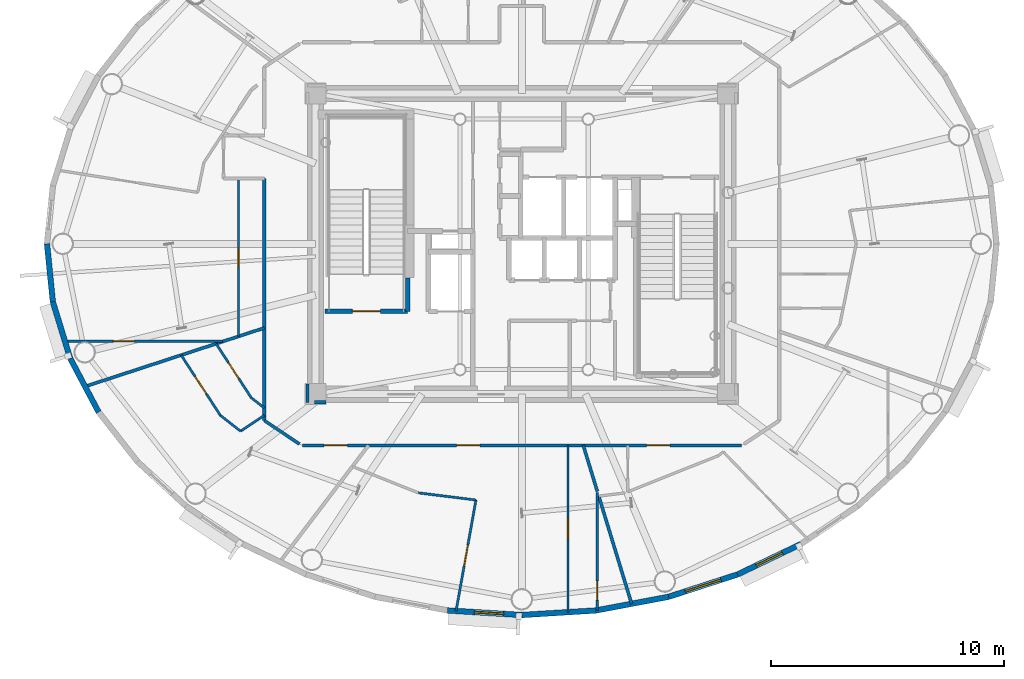
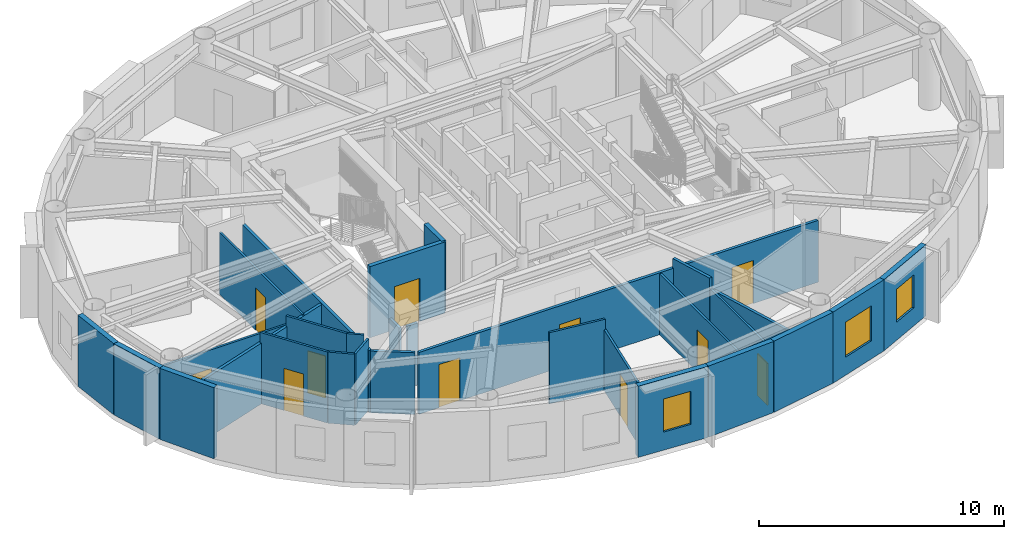
# One storey, part 6 of 17: 29 walls, 11 doors, 3 windows, 14 openings.
"""IFC4 building model written with IfcOpenShell, lengths in metres."""

from ifc_helpers import new_model, si_unit, direction, frame, frame_2d, origin, origin_2d, place, context, subcontext, project, spatial, rectangle, extrude, source, transform, mapped, material, layer, layer_set, type_object, element, fill, save


model = new_model("IFC4")

# Units and contexts
model_context = context("Model", 3, precision=1e-05, world=origin(), true_north=direction((0.0, 1.0)))
body_context = subcontext(model_context, "Body", "Model", "MODEL_VIEW")
ifc_project = project(units=[si_unit("LENGTHUNIT", "METRE"), si_unit("AREAUNIT", "SQUARE_METRE"), si_unit("VOLUMEUNIT", "CUBIC_METRE"), si_unit("PLANEANGLEUNIT", "RADIAN"), si_unit("MASSUNIT", "GRAM", prefix="KILO")], contexts=[model_context])

# Site, building, storey
site_placement = place(None, origin())
site = spatial("IfcSite", under=ifc_project, at=site_placement, CompositionType="ELEMENT")
building_placement = place(site_placement, origin())
building = spatial("IfcBuilding", under=site, at=building_placement, Name="Linh Dai School and Residence Tower", CompositionType="ELEMENT")
storey_placement = place(building_placement, frame((0.0, 0.0, 331.60009765625)))
storey = spatial("IfcBuildingStorey", under=building, at=storey_placement, Name="L82", CompositionType="ELEMENT", Elevation=331.60009765625)

# Walls
ifc_material_1 = material(Name="Precast Concrete B45 (C35/45)", Category="concrete")
ifc_layer_1 = layer(ifc_material_1, 0.239990234375)
ifc_layer_set_1 = layer_set([ifc_layer_1], Name="Precast Concrete B45 (C35/45)")
wall_type_1 = type_object("IfcWallType", Name="EW-TC-240", PredefinedType="SOLIDWALL", material=ifc_layer_set_1)
wall_1_placement = place(storey_placement, frame((15.875, 24.51318359375, 0.0), z_axis=(0.0, 0.0, 1.0), x_axis=(-0.100025963401, 0.994984827344, 0.0)))
element("IfcWall", 1, at=wall_1_placement, inside=storey, type_object=wall_type_1, Name="L82 Terracotta Exterior Wall 21", PredefinedType="SOLIDWALL", context=body_context, shape_type="SweptSolid", body=[
    extrude(rectangle(XDim=2.499267578125, YDim=0.239990234375, at=frame_2d((1.24951171875, 0.0))), origin(), (0.0, 0.0, 1.0), 3.5498046875),
])
wall_2_placement = place(storey_placement, frame((16.618896484375, 22.086669921875, 0.0), z_axis=(0.0, 0.0, 1.0), x_axis=(-0.293105547213, 0.956080089842, 0.0)))
element("IfcWall", 2, at=wall_2_placement, inside=storey, type_object=wall_type_1, Name="L82 Terracotta Exterior Wall 22", PredefinedType="SOLIDWALL", context=body_context, shape_type="SweptSolid", body=[
    extrude(rectangle(XDim=2.5380859375, YDim=0.239990234375, at=frame_2d((1.26904296875, 0.0))), origin(), (0.0, 0.0, 1.0), 3.5498046875),
])
wall_3_placement = place(storey_placement, frame((17.839111328125, 19.779296875, 0.0), z_axis=(0.0, 0.0, 1.0), x_axis=(-0.467487999989, 0.883999417345, 0.0)))
element("IfcWall", 3, at=wall_3_placement, inside=storey, type_object=wall_type_1, Name="L82 Terracotta Exterior Wall 23", PredefinedType="SOLIDWALL", context=body_context, shape_type="SweptSolid", body=[
    extrude(rectangle(XDim=2.610107421875, YDim=0.239990234375, at=frame_2d((1.30517578125, 0.0))), origin(), (0.0, 0.0, 1.0), 3.5498046875),
])

# Wall, opening, window
wall_4_placement = place(storey_placement, frame((36.0, 11.070068359375, 0.0), z_axis=(0.0, 0.0, 1.0), x_axis=(-0.998109204399, 0.061465568355, 0.0)))
wall_4 = element("IfcWall", 4, at=wall_4_placement, inside=storey, type_object=wall_type_1, Name="L82 Terracotta Exterior Wall 30", PredefinedType="SOLIDWALL", context=body_context, shape_type="SweptSolid", body=[
    extrude(rectangle(XDim=3.197509765625, YDim=0.239990234375, at=frame_2d((1.5986328125, 0.0))), origin(), (0.0, 0.0, 1.0), 3.5498046875),
])
opening_1_placement = place(wall_4_placement, frame((0.7841796875, 0.0, 0.89990234375)))
opening_1 = element("IfcOpeningElement", 5, at=opening_1_placement, cuts=wall_4, Name="Opening W3", PredefinedType="OPENING", context=body_context, shape_type="SweptSolid", body=[
    extrude(rectangle(XDim=1.25, YDim=1.64990234375, at=origin_2d()), frame((0.625, 0.1298828125, 0.824951171875), z_axis=(0.0, -1.0, 0.0), x_axis=(1.0, 0.0, 0.0)), (0.0, 0.0, 1.0), 0.260009765625),
])
ifc_material_2 = material(Name="Double Low-E Insulated Glazing", Category="glass")
window_type_1 = type_object("IfcWindowType", Name="WN-RES-1250x1650", PartitioningType="SINGLE_PANEL", PredefinedType="WINDOW", material=ifc_material_2)
shared_shape_1 = source(origin(), body_context, "Body", "SweptSolid", [
    extrude(rectangle(XDim=1.25, YDim=1.64990234375, at=origin_2d()), frame((0.625, 0.030029296875, 0.824951171875), z_axis=(0.0, -1.0, 0.0), x_axis=(1.0, 0.0, 0.0)), (0.0, 0.0, 1.0), 0.06005859375),
])
window_1_placement = place(opening_1_placement, origin())
window_1 = element("IfcWindow", 6, at=window_1_placement, inside=storey, type_object=window_type_1, Name="L82 Exterior Window 30.1", OverallHeight=1.64990234375, OverallWidth=1.25, PartitioningType="SINGLE_PANEL", PredefinedType="WINDOW", context=body_context, shape_type="MappedRepresentation", body=[
    mapped(shared_shape_1, transform((0.0, 0.0, 0.0), x_axis=(1.0, 0.0, 0.0), y_axis=(0.0, 1.0, 0.0), z_axis=(0.0, 0.0, 1.0), scale=1.0)),
])
fill(opening_1, window_1)

# Walls
wall_5_placement = place(storey_placement, frame((39.19140625, 11.2666015625, 0.0), z_axis=(0.0, 0.0, 1.0), x_axis=(-0.998109204399, -0.061465568355, 0.0)))
element("IfcWall", 7, at=wall_5_placement, inside=storey, type_object=wall_type_1, Name="L82 Terracotta Exterior Wall 31", PredefinedType="SOLIDWALL", context=body_context, shape_type="SweptSolid", body=[
    extrude(rectangle(XDim=3.197509765625, YDim=0.239990234375, at=frame_2d((1.5986328125, 0.0))), origin(), (0.0, 0.0, 1.0), 3.5498046875),
])
wall_6_placement = place(storey_placement, frame((42.303955078125, 11.85205078125, 0.0), z_axis=(0.0, 0.0, 1.0), x_axis=(-0.98276643264, -0.184851667226, 0.0)))
element("IfcWall", 8, at=wall_6_placement, inside=storey, type_object=wall_type_1, Name="L82 Terracotta Exterior Wall 32", PredefinedType="SOLIDWALL", context=body_context, shape_type="SweptSolid", body=[
    extrude(rectangle(XDim=3.167236328125, YDim=0.239990234375, at=frame_2d((1.58349609375, 0.0))), origin(), (0.0, 0.0, 1.0), 3.5498046875),
])

# Wall, opening, window
wall_7_placement = place(storey_placement, frame((45.260498046875, 12.81103515625, 0.0), z_axis=(0.0, 0.0, 1.0), x_axis=(-0.951212850731, -0.308535431682, 0.0)))
wall_7 = element("IfcWall", 9, at=wall_7_placement, inside=storey, type_object=wall_type_1, Name="L82 Terracotta Exterior Wall 33", PredefinedType="SOLIDWALL", context=body_context, shape_type="SweptSolid", body=[
    extrude(rectangle(XDim=3.108154296875, YDim=0.239990234375, at=frame_2d((1.55419921875, 0.0))), origin(), (0.0, 0.0, 1.0), 3.5498046875),
])
opening_2_placement = place(wall_7_placement, frame((0.754150390625, 0.0, 0.89990234375)))
opening_2 = element("IfcOpeningElement", 10, at=opening_2_placement, cuts=wall_7, Name="Opening W2", PredefinedType="OPENING", context=body_context, shape_type="SweptSolid", body=[
    extrude(rectangle(XDim=1.60009765625, YDim=1.75, at=origin_2d()), frame((0.800048828125, 0.1298828125, 0.875), z_axis=(0.0, -1.0, 0.0), x_axis=(1.0, 0.0, 0.0)), (0.0, 0.0, 1.0), 0.260009765625),
])
window_type_2 = type_object("IfcWindowType", Name="WN-RES-1600x1750", PartitioningType="DOUBLE_PANEL_VERTICAL", PredefinedType="WINDOW", material=ifc_material_2)
shared_shape_2 = source(origin(), body_context, "Body", "SweptSolid", [
    extrude(rectangle(XDim=1.60009765625, YDim=1.75, at=origin_2d()), frame((0.800048828125, 0.030029296875, 0.875), z_axis=(0.0, -1.0, 0.0), x_axis=(1.0, 0.0, 0.0)), (0.0, 0.0, 1.0), 0.06005859375),
])
window_2_placement = place(opening_2_placement, origin())
window_2 = element("IfcWindow", 11, at=window_2_placement, inside=storey, type_object=window_type_2, Name="L82 Exterior Window 33.1", OverallHeight=1.75, OverallWidth=1.60009765625, PartitioningType="DOUBLE_PANEL_VERTICAL", PredefinedType="WINDOW", context=body_context, shape_type="MappedRepresentation", body=[
    mapped(shared_shape_2, transform((0.0, 0.0, 0.0), x_axis=(1.0, 0.0, 0.0), y_axis=(0.0, 1.0, 0.0), z_axis=(0.0, 0.0, 1.0), scale=1.0)),
])
fill(opening_2, window_2)

wall_8_placement = place(storey_placement, frame((47.98779296875, 14.119873046875, 0.0), z_axis=(0.0, 0.0, 1.0), x_axis=(-0.901557057889, -0.432660226241, 0.0)))
wall_8 = element("IfcWall", 12, at=wall_8_placement, inside=storey, type_object=wall_type_1, Name="L82 Terracotta Exterior Wall 34", PredefinedType="SOLIDWALL", context=body_context, shape_type="SweptSolid", body=[
    extrude(rectangle(XDim=3.025146484375, YDim=0.239990234375, at=frame_2d((1.5126953125, 0.0))), origin(), (0.0, 0.0, 1.0), 3.5498046875),
])
opening_3_placement = place(wall_8_placement, frame((0.8876953125, 0.0, 0.89990234375)))
opening_3 = element("IfcOpeningElement", 13, at=opening_3_placement, cuts=wall_8, Name="Opening W3", PredefinedType="OPENING", context=body_context, shape_type="SweptSolid", body=[
    extrude(rectangle(XDim=1.25, YDim=1.64990234375, at=origin_2d()), frame((0.625, 0.1298828125, 0.824951171875), z_axis=(0.0, -1.0, 0.0), x_axis=(1.0, 0.0, 0.0)), (0.0, 0.0, 1.0), 0.260009765625),
])
window_3_placement = place(opening_3_placement, origin())
window_3 = element("IfcWindow", 14, at=window_3_placement, inside=storey, type_object=window_type_1, Name="L82 Exterior Window 34.1", OverallHeight=1.64990234375, OverallWidth=1.25, PartitioningType="SINGLE_PANEL", PredefinedType="WINDOW", context=body_context, shape_type="MappedRepresentation", body=[
    mapped(shared_shape_1, transform((0.0, 0.0, 0.0), x_axis=(1.0, 0.0, 0.0), y_axis=(0.0, 1.0, 0.0), z_axis=(0.0, 0.0, 1.0), scale=1.0)),
])
fill(opening_3, window_3)

# Walls
ifc_material_3 = material(Name="Autoclaved Aerated Concrete Blockwork", Category="masonry")
ifc_layer_2 = layer(ifc_material_3, 0.135009765625)
ifc_layer_set_2 = layer_set([ifc_layer_2], Name="Autoclaved Aerated Concrete Blockwork")
wall_type_2 = type_object("IfcWallType", Name="IW-CORR-135-EI90", PredefinedType="PARTITIONING", material=ifc_layer_set_2)
wall_9_placement = place(storey_placement, frame((17.25439453125, 20.874267578125, 0.0), z_axis=(0.0, 0.0, 1.0), x_axis=(0.950530431636, 0.310631451295, 0.0)))
element("IfcWall", 15, at=wall_9_placement, inside=storey, type_object=wall_type_2, Name="L82 Interior Partition Wall 003", PredefinedType="PARTITIONING", context=body_context, shape_type="SweptSolid", body=[
    extrude(rectangle(XDim=8.095947265625, YDim=0.135009765625, at=frame_2d((4.0478515625, 0.0))), origin(), (0.0, 0.0, 1.0), 3.034912109375),
])
wall_10_placement = place(storey_placement, frame((24.949951171875, 19.41748046875, 0.0), z_axis=(0.0, 0.0, 1.0), x_axis=(0.0, 1.0, 0.0)))
element("IfcWall", 16, at=wall_10_placement, inside=storey, type_object=wall_type_2, Name="L82 Interior Partition Wall 016", PredefinedType="PARTITIONING", context=body_context, shape_type="SweptSolid", body=[
    extrude(rectangle(XDim=10.382568359375, YDim=0.135009765625, at=frame_2d((5.19140625, 0.0))), origin(), (0.0, 0.0, 1.0), 3.0849609375),
])
wall_11_placement = place(storey_placement, frame((24.949951171875, 19.41748046875, 0.0), z_axis=(0.0, 0.0, 1.0), x_axis=(0.831180227396, -0.556003084151, 0.0)))
element("IfcWall", 17, at=wall_11_placement, inside=storey, type_object=wall_type_2, Name="L82 Interior Partition Wall 017", PredefinedType="PARTITIONING", context=body_context, shape_type="SweptSolid", body=[
    extrude(rectangle(XDim=1.815185546875, YDim=0.135009765625, at=frame_2d((0.90771484375, 0.0))), origin(), (0.0, 0.0, 1.0), 3.0849609375),
])

# Wall, openings, doors
wall_12_placement = place(storey_placement, frame((26.580078125, 18.35009765625, 0.0), z_axis=(0.0, 0.0, 1.0), x_axis=(1.0, 0.0, 0.0)))
wall_12 = element("IfcWall", 18, at=wall_12_placement, inside=storey, type_object=wall_type_2, Name="L82 Interior Partition Wall 021", PredefinedType="PARTITIONING", context=body_context, shape_type="SweptSolid", body=[
    extrude(rectangle(XDim=18.83984375, YDim=0.135009765625, at=frame_2d((9.419921875, 0.0))), origin(), (0.0, 0.0, 1.0), 3.0849609375),
])
opening_4_placement = place(wall_12_placement, frame((0.93994140625, 0.0, 0.0)))
opening_4 = element("IfcOpeningElement", 19, at=opening_4_placement, cuts=wall_12, Name="Opening D03", PredefinedType="OPENING", context=body_context, shape_type="SweptSolid", body=[
    extrude(rectangle(XDim=1.0, YDim=2.14990234375, at=origin_2d()), frame((0.5, 0.07763671875, 1.074951171875), z_axis=(0.0, -1.0, 0.0), x_axis=(1.0, 0.0, 0.0)), (0.0, 0.0, 1.0), 0.155029296875),
])
opening_5_placement = place(wall_12_placement, frame((6.62060546875, 0.0, 0.0)))
opening_5 = element("IfcOpeningElement", 20, at=opening_5_placement, cuts=wall_12, Name="Opening D03", PredefinedType="OPENING", context=body_context, shape_type="SweptSolid", body=[
    extrude(rectangle(XDim=1.0, YDim=2.14990234375, at=origin_2d()), frame((0.5, 0.07763671875, 1.074951171875), z_axis=(0.0, -1.0, 0.0), x_axis=(1.0, 0.0, 0.0)), (0.0, 0.0, 1.0), 0.155029296875),
])
opening_6_placement = place(wall_12_placement, frame((14.7783203125, 0.0, 0.0)))
opening_6 = element("IfcOpeningElement", 21, at=opening_6_placement, cuts=wall_12, Name="Opening D03", PredefinedType="OPENING", context=body_context, shape_type="SweptSolid", body=[
    extrude(rectangle(XDim=1.0, YDim=2.14990234375, at=origin_2d()), frame((0.5, 0.07763671875, 1.074951171875), z_axis=(0.0, -1.0, 0.0), x_axis=(1.0, 0.0, 0.0)), (0.0, 0.0, 1.0), 0.155029296875),
])
ifc_material_4 = material(Name="Fire-Rated Solid Timber Entrance Door", Category="wood")
door_type_1 = type_object("IfcDoorType", Name="DR-FLAT-1000x2150-FD60S", OperationType="NOTDEFINED", PredefinedType="DOOR", material=ifc_material_4)
shared_shape_3 = source(origin(), body_context, "Body", "SweptSolid", [
    extrude(rectangle(XDim=1.0, YDim=2.14990234375, at=origin_2d()), frame((0.5, 0.02490234375, 1.074951171875), z_axis=(0.0, -1.0, 0.0), x_axis=(1.0, 0.0, 0.0)), (0.0, 0.0, 1.0), 0.050048828125),
])
door_1_placement = place(opening_4_placement, origin())
door_1 = element("IfcDoor", 22, at=door_1_placement, inside=storey, type_object=door_type_1, Name="L82 U8204 Apartment Entrance Door", OperationType="SINGLE_SWING_LEFT", OverallHeight=2.14990234375, OverallWidth=1.0, PredefinedType="DOOR", context=body_context, shape_type="MappedRepresentation", body=[
    mapped(shared_shape_3, transform((0.0, 0.0, 0.0), x_axis=(1.0, 0.0, 0.0), y_axis=(0.0, 1.0, 0.0), z_axis=(0.0, 0.0, 1.0), scale=1.0)),
])
fill(opening_4, door_1)
door_2_placement = place(opening_5_placement, origin())
door_2 = element("IfcDoor", 23, at=door_2_placement, inside=storey, type_object=door_type_1, Name="L82 U8205 Apartment Entrance Door", OperationType="SINGLE_SWING_RIGHT", OverallHeight=2.14990234375, OverallWidth=1.0, PredefinedType="DOOR", context=body_context, shape_type="MappedRepresentation", body=[
    mapped(shared_shape_3, transform((0.0, 0.0, 0.0), x_axis=(1.0, 0.0, 0.0), y_axis=(0.0, 1.0, 0.0), z_axis=(0.0, 0.0, 1.0), scale=1.0)),
])
fill(opening_5, door_2)
door_3_placement = place(opening_6_placement, origin())
door_3 = element("IfcDoor", 24, at=door_3_placement, inside=storey, type_object=door_type_1, Name="L82 U8206 Apartment Entrance Door", OperationType="SINGLE_SWING_RIGHT", OverallHeight=2.14990234375, OverallWidth=1.0, PredefinedType="DOOR", context=body_context, shape_type="MappedRepresentation", body=[
    mapped(shared_shape_3, transform((0.0, 0.0, 0.0), x_axis=(1.0, 0.0, 0.0), y_axis=(0.0, 1.0, 0.0), z_axis=(0.0, 0.0, 1.0), scale=1.0)),
])
fill(opening_6, door_3)

# Walls
wall_13_placement = place(storey_placement, frame((38.63916015625, 18.35009765625, 0.0), z_axis=(0.0, 0.0, 1.0), x_axis=(0.291729785941, -0.956500774696, 0.0)))
element("IfcWall", 25, at=wall_13_placement, inside=storey, type_object=wall_type_2, Name="L82 Interior Partition Wall 064", PredefinedType="PARTITIONING", context=body_context, shape_type="SweptSolid", body=[
    extrude(rectangle(XDim=2.06884765625, YDim=0.135009765625, at=frame_2d((1.034423828125, 0.0))), origin(), (0.0, 0.0, 1.0), 3.5498046875),
])
wall_14_placement = place(storey_placement, frame((39.3037109375, 16.17138671875, 0.0), z_axis=(0.0, 0.0, 1.0), x_axis=(0.291820739467, -0.956473029425, 0.0)))
element("IfcWall", 26, at=wall_14_placement, inside=storey, type_object=wall_type_2, Name="L82 Interior Partition Wall 068", PredefinedType="PARTITIONING", context=body_context, shape_type="SweptSolid", body=[
    extrude(rectangle(XDim=4.833984375, YDim=0.135009765625, at=frame_2d((2.4169921875, 0.0))), origin(), (0.0, 0.0, 1.0), 3.034912109375),
])
wall_15_placement = place(storey_placement, frame((26.800048828125, 20.989990234375, 0.0), z_axis=(0.0, 0.0, 1.0), x_axis=(0.0, -1.0, 0.0)))
element("IfcWall", 27, at=wall_15_placement, inside=storey, type_object=wall_type_2, Name="L82 Interior Partition Wall 100", PredefinedType="PARTITIONING", context=body_context, shape_type="SweptSolid", body=[
    extrude(rectangle(XDim=0.7900390625, YDim=0.135009765625, at=frame_2d((0.39501953125, 0.0))), origin(), (0.0, 0.0, 1.0), 3.0849609375),
])
wall_16_placement = place(storey_placement, frame((27.107421875, 20.199951171875, 0.0), z_axis=(0.0, 0.0, 1.0), x_axis=(1.0, 0.0, 0.0)))
element("IfcWall", 28, at=wall_16_placement, inside=storey, type_object=wall_type_2, Name="L82 Interior Partition Wall 101", PredefinedType="PARTITIONING", context=body_context, shape_type="SweptSolid", body=[
    extrude(rectangle(XDim=0.482666015625, YDim=0.135009765625, at=frame_2d((0.2412109375, 0.0))), origin(), (0.0, 0.0, 1.0), 3.0849609375),
])

# Wall, opening, door
ifc_material_5 = material(Name="Concrete B45 (C35/45)", Category="concrete")
ifc_layer_3 = layer(ifc_material_5, 0.199951171875)
ifc_layer_set_3 = layer_set([ifc_layer_3], Name="Concrete B45 (C35/45)")
wall_type_3 = type_object("IfcWallType", Name="IW-SHAFT-200-EI120", PredefinedType="PARTITIONING", material=ifc_layer_set_3)
wall_17_placement = place(storey_placement, frame((27.56005859375, 24.10009765625, 0.0), z_axis=(0.0, 0.0, 1.0), x_axis=(1.0, 0.0, 0.0)))
wall_17 = element("IfcWall", 29, at=wall_17_placement, inside=storey, type_object=wall_type_3, Name="L82 Interior Partition Wall 023", PredefinedType="PARTITIONING", context=body_context, shape_type="SweptSolid", body=[
    extrude(rectangle(XDim=3.5400390625, YDim=0.199951171875, at=frame_2d((1.77001953125, 0.0))), origin(), (0.0, 0.0, 1.0), 3.5498046875),
])
opening_7_placement = place(wall_17_placement, frame((1.169921875, 0.0, 0.0)))
opening_7 = element("IfcOpeningElement", 30, at=opening_7_placement, cuts=wall_17, Name="Opening D01", PredefinedType="OPENING", context=body_context, shape_type="SweptSolid", body=[
    extrude(rectangle(XDim=1.199951171875, YDim=2.14990234375, at=origin_2d()), frame((0.60009765625, 0.10986328125, 1.074951171875), z_axis=(0.0, -1.0, 0.0), x_axis=(1.0, 0.0, 0.0)), (0.0, 0.0, 1.0), 0.219970703125),
])
ifc_material_6 = material(Name="Fire-Rated Steel Door Leaf", Category="steel")
door_type_2 = type_object("IfcDoorType", Name="DR-STAIR-1200x2150-FD90S", OperationType="NOTDEFINED", PredefinedType="DOOR", material=ifc_material_6)
shared_shape_4 = source(origin(), body_context, "Body", "SweptSolid", [
    extrude(rectangle(XDim=1.199951171875, YDim=2.14990234375, at=origin_2d()), frame((0.60009765625, 0.02490234375, 1.074951171875), z_axis=(0.0, -1.0, 0.0), x_axis=(1.0, 0.0, 0.0)), (0.0, 0.0, 1.0), 0.050048828125),
])
door_4_placement = place(opening_7_placement, origin())
door_4 = element("IfcDoor", 31, at=door_4_placement, inside=storey, type_object=door_type_2, Name="L82 Core Smokeproof Exit Stair ST1 Door", OperationType="SINGLE_SWING_RIGHT", OverallHeight=2.14990234375, OverallWidth=1.199951171875, PredefinedType="DOOR", context=body_context, shape_type="MappedRepresentation", body=[
    mapped(shared_shape_4, transform((0.0, 0.0, 0.0), x_axis=(1.0, 0.0, 0.0), y_axis=(0.0, 1.0, 0.0), z_axis=(0.0, 0.0, 1.0), scale=1.0)),
])
fill(opening_7, door_4)

# Wall
wall_18_placement = place(storey_placement, frame((31.10009765625, 24.10009765625, 0.0), z_axis=(0.0, 0.0, 1.0), x_axis=(0.0, 1.0, 0.0)))
element("IfcWall", 32, at=wall_18_placement, inside=storey, type_object=wall_type_3, Name="L82 Interior Partition Wall 027", PredefinedType="PARTITIONING", context=body_context, shape_type="SweptSolid", body=[
    extrude(rectangle(XDim=1.43994140625, YDim=0.199951171875, at=frame_2d((0.719970703125, 0.0))), origin(), (0.0, 0.0, 1.0), 3.5498046875),
])

# Wall, opening, door
ifc_material_7 = material(Name="Gypsum Plasterboard Acoustic Stud Partition", Category="masonry")
ifc_layer_4 = layer(ifc_material_7, 0.10009765625)
ifc_layer_set_4 = layer_set([ifc_layer_4], Name="Gypsum Plasterboard Acoustic Stud Partition")
wall_type_4 = type_object("IfcWallType", Name="IW-UNIT-100", PredefinedType="PARTITIONING", material=ifc_layer_set_4)
wall_19_placement = place(storey_placement, frame((16.391357421875, 22.811767578125, 0.0), z_axis=(0.0, 0.0, 1.0), x_axis=(1.0, 0.0, 0.0)))
wall_19 = element("IfcWall", 33, at=wall_19_placement, inside=storey, type_object=wall_type_4, Name="L82 Interior Partition Wall 002", PredefinedType="PARTITIONING", context=body_context, shape_type="SweptSolid", body=[
    extrude(rectangle(XDim=6.75732421875, YDim=0.10009765625, at=frame_2d((3.378662109375, 0.0))), origin(), (0.0, 0.0, 1.0), 3.034912109375),
])
opening_8_placement = place(wall_19_placement, frame((2.086181640625, 0.0, 0.0)))
opening_8 = element("IfcOpeningElement", 34, at=opening_8_placement, cuts=wall_19, Name="Opening D05", PredefinedType="OPENING", context=body_context, shape_type="SweptSolid", body=[
    extrude(rectangle(XDim=0.89990234375, YDim=2.10009765625, at=origin_2d()), frame((0.449951171875, 0.06005859375, 1.050048828125), z_axis=(0.0, -1.0, 0.0), x_axis=(1.0, 0.0, 0.0)), (0.0, 0.0, 1.0), 0.1201171875),
])
ifc_material_8 = material(Name="Engineered Timber Internal Door", Category="wood")
door_type_3 = type_object("IfcDoorType", Name="DR-INT-900x2100", OperationType="NOTDEFINED", PredefinedType="DOOR", material=ifc_material_8)
shared_shape_5 = source(origin(), body_context, "Body", "SweptSolid", [
    extrude(rectangle(XDim=0.89990234375, YDim=2.10009765625, at=origin_2d()), frame((0.449951171875, 0.02490234375, 1.050048828125), z_axis=(0.0, -1.0, 0.0), x_axis=(1.0, 0.0, 0.0)), (0.0, 0.0, 1.0), 0.050048828125),
])
door_5_placement = place(opening_8_placement, origin())
door_5 = element("IfcDoor", 35, at=door_5_placement, inside=storey, type_object=door_type_3, Name="L82 Apartment U8203 Kitchen Door", OperationType="SINGLE_SWING_RIGHT", OverallHeight=2.10009765625, OverallWidth=0.89990234375, PredefinedType="DOOR", context=body_context, shape_type="MappedRepresentation", body=[
    mapped(shared_shape_5, transform((0.0, 0.0, 0.0), x_axis=(1.0, 0.0, 0.0), y_axis=(0.0, 1.0, 0.0), z_axis=(0.0, 0.0, 1.0), scale=1.0)),
])
fill(opening_8, door_5)

wall_20_placement = place(storey_placement, frame((21.382568359375, 22.223388671875, 0.0), z_axis=(0.0, 0.0, 1.0), x_axis=(0.545308414619, -0.838235487763, 0.0)))
wall_20 = element("IfcWall", 36, at=wall_20_placement, inside=storey, type_object=wall_type_4, Name="L82 Interior Partition Wall 005", PredefinedType="PARTITIONING", context=body_context, shape_type="SweptSolid", body=[
    extrude(rectangle(XDim=3.0830078125, YDim=0.10009765625, at=frame_2d((1.54150390625, 0.0))), origin(), (0.0, 0.0, 1.0), 3.5498046875),
])
opening_9_placement = place(wall_20_placement, frame((1.091552734375, 0.0, 0.0)))
opening_9 = element("IfcOpeningElement", 37, at=opening_9_placement, cuts=wall_20, Name="Opening D05", PredefinedType="OPENING", context=body_context, shape_type="SweptSolid", body=[
    extrude(rectangle(XDim=0.89990234375, YDim=2.10009765625, at=origin_2d()), frame((0.449951171875, 0.06005859375, 1.050048828125), z_axis=(0.0, -1.0, 0.0), x_axis=(1.0, 0.0, 0.0)), (0.0, 0.0, 1.0), 0.1201171875),
])
door_6_placement = place(opening_9_placement, origin())
door_6 = element("IfcDoor", 38, at=door_6_placement, inside=storey, type_object=door_type_3, Name="L82 Apartment U8204 Kitchen Door", OperationType="SINGLE_SWING_RIGHT", OverallHeight=2.10009765625, OverallWidth=0.89990234375, PredefinedType="DOOR", context=body_context, shape_type="MappedRepresentation", body=[
    mapped(shared_shape_5, transform((0.0, 0.0, 0.0), x_axis=(1.0, 0.0, 0.0), y_axis=(0.0, 1.0, 0.0), z_axis=(0.0, 0.0, 1.0), scale=1.0)),
])
fill(opening_9, door_6)

wall_21_placement = place(storey_placement, frame((22.8818359375, 22.71337890625, 0.0), z_axis=(0.0, 0.0, 1.0), x_axis=(0.545338791734, -0.838215725353, 0.0)))
wall_21 = element("IfcWall", 39, at=wall_21_placement, inside=storey, type_object=wall_type_4, Name="L82 Interior Partition Wall 008", PredefinedType="PARTITIONING", context=body_context, shape_type="SweptSolid", body=[
    extrude(rectangle(XDim=2.7666015625, YDim=0.10009765625, at=frame_2d((1.38330078125, 0.0))), origin(), (0.0, 0.0, 1.0), 3.5498046875),
])
opening_10_placement = place(wall_21_placement, frame((0.973388671875, 0.0, 0.0)))
opening_10 = element("IfcOpeningElement", 40, at=opening_10_placement, cuts=wall_21, Name="Opening D06", PredefinedType="OPENING", context=body_context, shape_type="SweptSolid", body=[
    extrude(rectangle(XDim=0.820068359375, YDim=2.10009765625, at=origin_2d()), frame((0.41015625, 0.06005859375, 1.050048828125), z_axis=(0.0, -1.0, 0.0), x_axis=(1.0, 0.0, 0.0)), (0.0, 0.0, 1.0), 0.1201171875),
])
ifc_material_9 = material(Name="Moisture-Resistant Timber Bathroom Door", Category="wood")
door_type_4 = type_object("IfcDoorType", Name="DR-WET-820x2100", OperationType="NOTDEFINED", PredefinedType="DOOR", material=ifc_material_9)
shared_shape_6 = source(origin(), body_context, "Body", "SweptSolid", [
    extrude(rectangle(XDim=0.820068359375, YDim=2.10009765625, at=origin_2d()), frame((0.41015625, 0.02490234375, 1.050048828125), z_axis=(0.0, -1.0, 0.0), x_axis=(1.0, 0.0, 0.0)), (0.0, 0.0, 1.0), 0.050048828125),
])
door_7_placement = place(opening_10_placement, origin())
door_7 = element("IfcDoor", 41, at=door_7_placement, inside=storey, type_object=door_type_4, Name="L82 Apartment U8204 Bathroom Door", OperationType="SINGLE_SWING_LEFT", OverallHeight=2.10009765625, OverallWidth=0.820068359375, PredefinedType="DOOR", context=body_context, shape_type="MappedRepresentation", body=[
    mapped(shared_shape_6, transform((0.0, 0.0, 0.0), x_axis=(1.0, 0.0, 0.0), y_axis=(0.0, 1.0, 0.0), z_axis=(0.0, 0.0, 1.0), scale=1.0)),
])
fill(opening_10, door_7)

# Wall
wall_22_placement = place(storey_placement, frame((23.063720703125, 19.63916015625, 0.0), z_axis=(0.0, 0.0, 1.0), x_axis=(0.787374522117, -0.616474948332, 0.0)))
element("IfcWall", 42, at=wall_22_placement, inside=storey, type_object=wall_type_4, Name="L82 Interior Partition Wall 009", PredefinedType="PARTITIONING", context=body_context, shape_type="SweptSolid", body=[
    extrude(rectangle(XDim=1.105712890625, YDim=0.10009765625, at=frame_2d((0.552734375, 0.0))), origin(), (0.0, 0.0, 1.0), 3.5498046875),
])

# Wall, opening, door
wall_23_placement = place(storey_placement, frame((23.845947265625, 23.0283203125, 0.0), z_axis=(0.0, 0.0, 1.0), x_axis=(0.0, 1.0, 0.0)))
wall_23 = element("IfcWall", 43, at=wall_23_placement, inside=storey, type_object=wall_type_4, Name="L82 Interior Partition Wall 013", PredefinedType="PARTITIONING", context=body_context, shape_type="SweptSolid", body=[
    extrude(rectangle(XDim=6.771728515625, YDim=0.10009765625, at=frame_2d((3.3857421875, 0.0))), origin(), (0.0, 0.0, 1.0), 3.0849609375),
])
opening_11_placement = place(wall_23_placement, frame((2.975830078125, 0.0, 0.0)))
opening_11 = element("IfcOpeningElement", 44, at=opening_11_placement, cuts=wall_23, Name="Opening D06", PredefinedType="OPENING", context=body_context, shape_type="SweptSolid", body=[
    extrude(rectangle(XDim=0.820068359375, YDim=2.10009765625, at=origin_2d()), frame((0.41015625, 0.06005859375, 1.050048828125), z_axis=(0.0, -1.0, 0.0), x_axis=(1.0, 0.0, 0.0)), (0.0, 0.0, 1.0), 0.1201171875),
])
door_8_placement = place(opening_11_placement, origin())
door_8 = element("IfcDoor", 45, at=door_8_placement, inside=storey, type_object=door_type_4, Name="L82 Apartment U8203 Bathroom 1 Door", OperationType="SINGLE_SWING_LEFT", OverallHeight=2.10009765625, OverallWidth=0.820068359375, PredefinedType="DOOR", context=body_context, shape_type="MappedRepresentation", body=[
    mapped(shared_shape_6, transform((0.0, 0.0, 0.0), x_axis=(1.0, 0.0, 0.0), y_axis=(0.0, 1.0, 0.0), z_axis=(0.0, 0.0, 1.0), scale=1.0)),
])
fill(opening_11, door_8)

# Walls
wall_24_placement = place(storey_placement, frame((23.934326171875, 18.95751953125, 0.0), z_axis=(0.0, 0.0, 1.0), x_axis=(0.832081065286, 0.554654037029, 0.0)))
element("IfcWall", 46, at=wall_24_placement, inside=storey, type_object=wall_type_4, Name="L82 Interior Partition Wall 014", PredefinedType="PARTITIONING", context=body_context, shape_type="SweptSolid", body=[
    extrude(rectangle(XDim=1.220703125, YDim=0.10009765625, at=frame_2d((0.6103515625, 0.0))), origin(), (0.0, 0.0, 1.0), 3.5498046875),
])
wall_25_placement = place(storey_placement, frame((24.390625, 20.394287109375, 0.0), z_axis=(0.0, 0.0, 1.0), x_axis=(0.787164110493, -0.616743595956, 0.0)))
element("IfcWall", 47, at=wall_25_placement, inside=storey, type_object=wall_type_4, Name="L82 Interior Partition Wall 015", PredefinedType="PARTITIONING", context=body_context, shape_type="SweptSolid", body=[
    extrude(rectangle(XDim=0.71044921875, YDim=0.10009765625, at=frame_2d((0.355224609375, 0.0))), origin(), (0.0, 0.0, 1.0), 3.5498046875),
])
wall_26_placement = place(storey_placement, frame((31.565673828125, 16.3115234375, 0.0), z_axis=(0.0, 0.0, 1.0), x_axis=(0.992398289592, -0.123067602619, 0.0)))
element("IfcWall", 48, at=wall_26_placement, inside=storey, type_object=wall_type_4, Name="L82 Interior Partition Wall 029", PredefinedType="PARTITIONING", context=body_context, shape_type="SweptSolid", body=[
    extrude(rectangle(XDim=2.485595703125, YDim=0.10009765625, at=frame_2d((1.24267578125, 0.0))), origin(), (0.0, 0.0, 1.0), 3.5498046875),
])

# Wall, opening, door
wall_27_placement = place(storey_placement, frame((33.179443359375, 11.23876953125, 0.0), z_axis=(0.0, 0.0, 1.0), x_axis=(0.176151823621, 0.984363009786, 0.0)))
wall_27 = element("IfcWall", 49, at=wall_27_placement, inside=storey, type_object=wall_type_4, Name="L82 Interior Partition Wall 035", PredefinedType="PARTITIONING", context=body_context, shape_type="SweptSolid", body=[
    extrude(rectangle(XDim=4.842529296875, YDim=0.10009765625, at=frame_2d((2.42138671875, 0.0))), origin(), (0.0, 0.0, 1.0), 3.034912109375),
])
opening_12_placement = place(wall_27_placement, frame((1.97119140625, 0.0, 0.0)))
opening_12 = element("IfcOpeningElement", 50, at=opening_12_placement, cuts=wall_27, Name="Opening D05", PredefinedType="OPENING", context=body_context, shape_type="SweptSolid", body=[
    extrude(rectangle(XDim=0.89990234375, YDim=2.10009765625, at=origin_2d()), frame((0.449951171875, 0.06005859375, 1.050048828125), z_axis=(0.0, -1.0, 0.0), x_axis=(1.0, 0.0, 0.0)), (0.0, 0.0, 1.0), 0.1201171875),
])
door_9_placement = place(opening_12_placement, origin())
door_9 = element("IfcDoor", 51, at=door_9_placement, inside=storey, type_object=door_type_3, Name="L82 Apartment U8205 Bedroom 1 Door", OperationType="SINGLE_SWING_LEFT", OverallHeight=2.10009765625, OverallWidth=0.89990234375, PredefinedType="DOOR", context=body_context, shape_type="MappedRepresentation", body=[
    mapped(shared_shape_5, transform((0.0, 0.0, 0.0), x_axis=(1.0, 0.0, 0.0), y_axis=(0.0, 1.0, 0.0), z_axis=(0.0, 0.0, 1.0), scale=1.0)),
])
fill(opening_12, door_9)

wall_28_placement = place(storey_placement, frame((37.981201171875, 11.18701171875, 0.0), z_axis=(0.0, 0.0, 1.0), x_axis=(0.0, 1.0, 0.0)))
wall_28 = element("IfcWall", 52, at=wall_28_placement, inside=storey, type_object=wall_type_4, Name="L82 Interior Partition Wall 061", PredefinedType="PARTITIONING", context=body_context, shape_type="SweptSolid", body=[
    extrude(rectangle(XDim=7.1630859375, YDim=0.10009765625, at=frame_2d((3.58154296875, 0.0))), origin(), (0.0, 0.0, 1.0), 3.034912109375),
])
opening_13_placement = place(wall_28_placement, frame((3.13134765625, 0.0, 0.0)))
opening_13 = element("IfcOpeningElement", 53, at=opening_13_placement, cuts=wall_28, Name="Opening D05", PredefinedType="OPENING", context=body_context, shape_type="SweptSolid", body=[
    extrude(rectangle(XDim=0.89990234375, YDim=2.10009765625, at=origin_2d()), frame((0.449951171875, 0.06005859375, 1.050048828125), z_axis=(0.0, -1.0, 0.0), x_axis=(1.0, 0.0, 0.0)), (0.0, 0.0, 1.0), 0.1201171875),
])
door_10_placement = place(opening_13_placement, origin())
door_10 = element("IfcDoor", 54, at=door_10_placement, inside=storey, type_object=door_type_3, Name="L82 Apartment U8205 Kitchen Door", OperationType="SINGLE_SWING_RIGHT", OverallHeight=2.10009765625, OverallWidth=0.89990234375, PredefinedType="DOOR", context=body_context, shape_type="MappedRepresentation", body=[
    mapped(shared_shape_5, transform((0.0, 0.0, 0.0), x_axis=(1.0, 0.0, 0.0), y_axis=(0.0, 1.0, 0.0), z_axis=(0.0, 0.0, 1.0), scale=1.0)),
])
fill(opening_13, door_10)

wall_29_placement = place(storey_placement, frame((39.24267578125, 11.271240234375, 0.0), z_axis=(0.0, 0.0, 1.0), x_axis=(0.0, 1.0, 0.0)))
wall_29 = element("IfcWall", 55, at=wall_29_placement, inside=storey, type_object=wall_type_4, Name="L82 Interior Partition Wall 066", PredefinedType="PARTITIONING", context=body_context, shape_type="SweptSolid", body=[
    extrude(rectangle(XDim=5.05517578125, YDim=0.10009765625, at=frame_2d((2.527587890625, 0.0))), origin(), (0.0, 0.0, 1.0), 3.034912109375),
])
opening_14_placement = place(wall_29_placement, frame((0.439697265625, 0.0, 0.0)))
opening_14 = element("IfcOpeningElement", 56, at=opening_14_placement, cuts=wall_29, Name="Opening D06", PredefinedType="OPENING", context=body_context, shape_type="SweptSolid", body=[
    extrude(rectangle(XDim=0.820068359375, YDim=2.10009765625, at=origin_2d()), frame((0.41015625, 0.06005859375, 1.050048828125), z_axis=(0.0, -1.0, 0.0), x_axis=(1.0, 0.0, 0.0)), (0.0, 0.0, 1.0), 0.1201171875),
])
door_11_placement = place(opening_14_placement, origin())
door_11 = element("IfcDoor", 57, at=door_11_placement, inside=storey, type_object=door_type_4, Name="L82 Apartment U8205 Bathroom 1 Door", OperationType="SINGLE_SWING_LEFT", OverallHeight=2.10009765625, OverallWidth=0.820068359375, PredefinedType="DOOR", context=body_context, shape_type="MappedRepresentation", body=[
    mapped(shared_shape_6, transform((0.0, 0.0, 0.0), x_axis=(1.0, 0.0, 0.0), y_axis=(0.0, 1.0, 0.0), z_axis=(0.0, 0.0, 1.0), scale=1.0)),
])
fill(opening_14, door_11)

save(model, "model.ifc")
